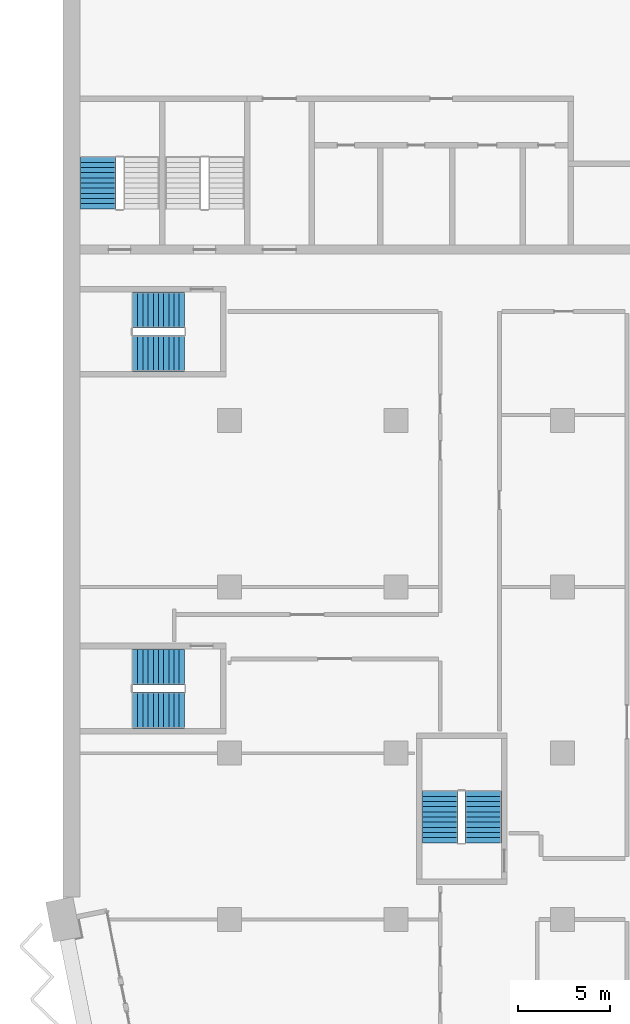
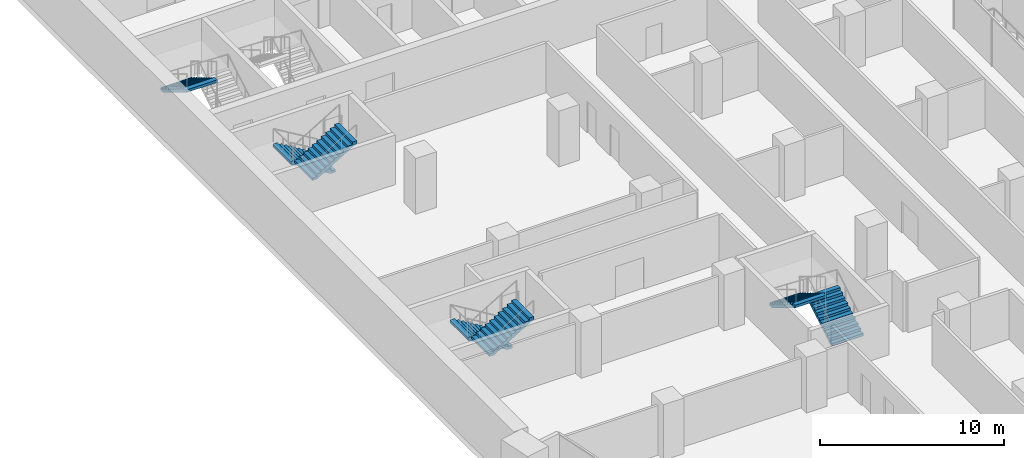
# One storey, part 16 of 23: 7 stair flights, 4 elements without a shape of their own.
"""IFC4 building model written with IfcOpenShell, lengths in metres."""

from ifc_helpers import new_model, si_unit, direction, frame, origin, place, context, subcontext, project, spatial, polyline, outline, extrude, material, type_object, element, aggregate, save


model = new_model("IFC4")

# Units and contexts
model_context = context("Model", 3, precision=1e-05, world=origin(), true_north=direction((0.0, 1.0)))
body_context = subcontext(model_context, "Body", "Model", "MODEL_VIEW")
ifc_project = project(units=[si_unit("LENGTHUNIT", "METRE"), si_unit("AREAUNIT", "SQUARE_METRE"), si_unit("VOLUMEUNIT", "CUBIC_METRE"), si_unit("PLANEANGLEUNIT", "RADIAN"), si_unit("MASSUNIT", "GRAM", prefix="KILO")], contexts=[model_context])

# Site, building, storey
site_placement = place(None, origin())
site = spatial("IfcSite", under=ifc_project, at=site_placement, CompositionType="ELEMENT")
building_placement = place(site_placement, origin())
building = spatial("IfcBuilding", under=site, at=building_placement, Name="Hunhe Ridgeline Campus", CompositionType="ELEMENT")
storey_placement = place(building_placement, frame((0.0, 0.0, 121.800048828125)))
storey = spatial("IfcBuildingStorey", under=building, at=storey_placement, Name="L30", CompositionType="ELEMENT", Elevation=121.800048828125)

# Stair, stair flight
ifc_material = material(Name="Concrete C40", Category="concrete")
stair_type = type_object("IfcStairType", Name="Reinforced concrete dog-leg stair 1950 Concrete C40", PredefinedType="HALF_TURN_STAIR", material=ifc_material)
stair_1_placement = place(storey_placement, origin())
stair_1 = element("IfcStair", 1, at=stair_1_placement, inside=storey, type_object=stair_type, Name="L30 S3", PredefinedType="HALF_TURN_STAIR")
stair_flight_type = type_object("IfcStairFlightType", Name="Reinforced concrete stair flight 1950 Concrete C40", PredefinedType="STRAIGHT", material=ifc_material)
stair_flight_1_placement = place(storey_placement, frame((1.875, 68.25, 1.849853515625), z_axis=(0.0, 0.0, 1.0), x_axis=(0.0, -1.0, 0.0)))
stair_flight_1 = element("IfcStairFlight", 2, at=stair_flight_1_placement, type_object=stair_flight_type, Name="ST3 flight 2", NumberOfRisers=11, NumberOfTreads=10, PredefinedType="STRAIGHT", RiserHeight=0.168181818, TreadLength=0.28, context=body_context, shape_type="SweptSolid", body=[
    extrude(outline(polyline([(0.0, 0.0), (0.0, 0.168212890625), (0.280029296875, 0.168212890625), (0.280029296875, 0.33642578125), (0.56005859375, 0.33642578125), (0.56005859375, 0.504638671875), (0.840087890625, 0.504638671875), (0.840087890625, 0.672607421875), (1.1201171875, 0.672607421875), (1.1201171875, 0.8408203125), (1.39990234375, 0.8408203125), (1.39990234375, 1.009033203125), (1.679931640625, 1.009033203125), (1.679931640625, 1.17724609375), (1.9599609375, 1.17724609375), (1.9599609375, 1.345458984375), (2.239990234375, 1.345458984375), (2.239990234375, 1.513671875), (2.52001953125, 1.513671875), (2.52001953125, 1.681884765625), (2.800048828125, 1.681884765625), (2.800048828125, 1.85009765625), (2.800048828125, 1.5068359375), (0.291015625, 0.0), (0.0, 0.0)])), frame((0.0, 0.97509765625, 0.0), z_axis=(0.0, -1.0, 0.0), x_axis=(1.0, 0.0, 0.0)), (0.0, 0.0, 1.0), 1.949951171875),
    extrude(outline(polyline([(0.030029296875, 0.030029296875), (0.030029296875, 0.13818359375), (0.31005859375, 0.13818359375), (0.31005859375, 0.306396484375), (0.590087890625, 0.306396484375), (0.590087890625, 0.474609375), (0.8701171875, 0.474609375), (0.8701171875, 0.642578125), (1.14990234375, 0.642578125), (1.14990234375, 0.810791015625), (1.429931640625, 0.810791015625), (1.429931640625, 0.97900390625), (1.7099609375, 0.97900390625), (1.7099609375, 1.147216796875), (1.989990234375, 1.147216796875), (1.989990234375, 1.3154296875), (2.27001953125, 1.3154296875), (2.27001953125, 1.483642578125), (2.550048828125, 1.483642578125), (2.550048828125, 1.65185546875), (2.77001953125, 1.65185546875), (2.77001953125, 1.52392578125), (0.28271484375, 0.030029296875), (0.030029296875, 0.030029296875)])), frame((0.0, -0.070068359375, 0.0), z_axis=(0.0, -1.0, 0.0), x_axis=(1.0, 0.0, 0.0)), (0.0, 0.0, 1.0), 0.019775390625),
    extrude(outline(polyline([(0.030029296875, 0.030029296875), (0.030029296875, 0.13818359375), (0.31005859375, 0.13818359375), (0.31005859375, 0.306396484375), (0.590087890625, 0.306396484375), (0.590087890625, 0.474609375), (0.8701171875, 0.474609375), (0.8701171875, 0.642578125), (1.14990234375, 0.642578125), (1.14990234375, 0.810791015625), (1.429931640625, 0.810791015625), (1.429931640625, 0.97900390625), (1.7099609375, 0.97900390625), (1.7099609375, 1.147216796875), (1.989990234375, 1.147216796875), (1.989990234375, 1.3154296875), (2.27001953125, 1.3154296875), (2.27001953125, 1.483642578125), (2.550048828125, 1.483642578125), (2.550048828125, 1.65185546875), (2.77001953125, 1.65185546875), (2.77001953125, 1.52392578125), (0.28271484375, 0.030029296875), (0.030029296875, 0.030029296875)])), frame((0.0, 0.010009765625, 0.0), z_axis=(0.0, -1.0, 0.0), x_axis=(1.0, 0.0, 0.0)), (0.0, 0.0, 1.0), 0.019775390625),
    extrude(outline(polyline([(0.030029296875, 0.030029296875), (0.030029296875, 0.13818359375), (0.31005859375, 0.13818359375), (0.31005859375, 0.306396484375), (0.590087890625, 0.306396484375), (0.590087890625, 0.474609375), (0.8701171875, 0.474609375), (0.8701171875, 0.642578125), (1.14990234375, 0.642578125), (1.14990234375, 0.810791015625), (1.429931640625, 0.810791015625), (1.429931640625, 0.97900390625), (1.7099609375, 0.97900390625), (1.7099609375, 1.147216796875), (1.989990234375, 1.147216796875), (1.989990234375, 1.3154296875), (2.27001953125, 1.3154296875), (2.27001953125, 1.483642578125), (2.550048828125, 1.483642578125), (2.550048828125, 1.65185546875), (2.77001953125, 1.65185546875), (2.77001953125, 1.52392578125), (0.28271484375, 0.030029296875), (0.030029296875, 0.030029296875)])), frame((0.0, 0.090087890625, 0.0), z_axis=(0.0, -1.0, 0.0), x_axis=(1.0, 0.0, 0.0)), (0.0, 0.0, 1.0), 0.019775390625),
])
aggregate(stair_1, [stair_flight_1])

# Stair, stair flights
stair_2_placement = place(storey_placement, origin())
stair_2 = element("IfcStair", 3, at=stair_2_placement, inside=storey, type_object=stair_type, Name="L30 W3", PredefinedType="HALF_TURN_STAIR")
stair_flight_2_placement = place(storey_placement, frame((22.72509765625, 31.14990234375, 0.0), z_axis=(0.0, 0.0, 1.0), x_axis=(0.0, 1.0, 0.0)))
stair_flight_2 = element("IfcStairFlight", 4, at=stair_flight_2_placement, type_object=stair_flight_type, Name="ST9 flight 1", NumberOfRisers=11, NumberOfTreads=10, PredefinedType="STRAIGHT", RiserHeight=0.168181818, TreadLength=0.28, context=body_context, shape_type="SweptSolid", body=[
    extrude(outline(polyline([(0.0, 0.0), (0.0, 0.168212890625), (0.280029296875, 0.168212890625), (0.280029296875, 0.33642578125), (0.56005859375, 0.33642578125), (0.56005859375, 0.504638671875), (0.840087890625, 0.504638671875), (0.840087890625, 0.672607421875), (1.1201171875, 0.672607421875), (1.1201171875, 0.8408203125), (1.39990234375, 0.8408203125), (1.39990234375, 1.009033203125), (1.679931640625, 1.009033203125), (1.679931640625, 1.17724609375), (1.9599609375, 1.17724609375), (1.9599609375, 1.345458984375), (2.239990234375, 1.345458984375), (2.239990234375, 1.513671875), (2.52001953125, 1.513671875), (2.52001953125, 1.681884765625), (2.800048828125, 1.681884765625), (2.800048828125, 1.85009765625), (2.800048828125, 1.5068359375), (0.291015625, 0.0), (0.0, 0.0)])), frame((0.0, 0.97509765625, 0.0), z_axis=(0.0, -1.0, 0.0), x_axis=(1.0, 0.0, 0.0)), (0.0, 0.0, 1.0), 1.949951171875),
    extrude(outline(polyline([(0.030029296875, 0.030029296875), (0.030029296875, 0.13818359375), (0.31005859375, 0.13818359375), (0.31005859375, 0.306396484375), (0.590087890625, 0.306396484375), (0.590087890625, 0.474609375), (0.8701171875, 0.474609375), (0.8701171875, 0.642578125), (1.14990234375, 0.642578125), (1.14990234375, 0.810791015625), (1.429931640625, 0.810791015625), (1.429931640625, 0.97900390625), (1.7099609375, 0.97900390625), (1.7099609375, 1.147216796875), (1.989990234375, 1.147216796875), (1.989990234375, 1.3154296875), (2.27001953125, 1.3154296875), (2.27001953125, 1.483642578125), (2.550048828125, 1.483642578125), (2.550048828125, 1.65185546875), (2.77001953125, 1.65185546875), (2.77001953125, 1.52392578125), (0.28271484375, 0.030029296875), (0.030029296875, 0.030029296875)])), frame((0.0, -0.070068359375, 0.0), z_axis=(0.0, -1.0, 0.0), x_axis=(1.0, 0.0, 0.0)), (0.0, 0.0, 1.0), 0.019775390625),
    extrude(outline(polyline([(0.030029296875, 0.030029296875), (0.030029296875, 0.13818359375), (0.31005859375, 0.13818359375), (0.31005859375, 0.306396484375), (0.590087890625, 0.306396484375), (0.590087890625, 0.474609375), (0.8701171875, 0.474609375), (0.8701171875, 0.642578125), (1.14990234375, 0.642578125), (1.14990234375, 0.810791015625), (1.429931640625, 0.810791015625), (1.429931640625, 0.97900390625), (1.7099609375, 0.97900390625), (1.7099609375, 1.147216796875), (1.989990234375, 1.147216796875), (1.989990234375, 1.3154296875), (2.27001953125, 1.3154296875), (2.27001953125, 1.483642578125), (2.550048828125, 1.483642578125), (2.550048828125, 1.65185546875), (2.77001953125, 1.65185546875), (2.77001953125, 1.52392578125), (0.28271484375, 0.030029296875), (0.030029296875, 0.030029296875)])), frame((0.0, 0.010009765625, 0.0), z_axis=(0.0, -1.0, 0.0), x_axis=(1.0, 0.0, 0.0)), (0.0, 0.0, 1.0), 0.019775390625),
    extrude(outline(polyline([(0.030029296875, 0.030029296875), (0.030029296875, 0.13818359375), (0.31005859375, 0.13818359375), (0.31005859375, 0.306396484375), (0.590087890625, 0.306396484375), (0.590087890625, 0.474609375), (0.8701171875, 0.474609375), (0.8701171875, 0.642578125), (1.14990234375, 0.642578125), (1.14990234375, 0.810791015625), (1.429931640625, 0.810791015625), (1.429931640625, 0.97900390625), (1.7099609375, 0.97900390625), (1.7099609375, 1.147216796875), (1.989990234375, 1.147216796875), (1.989990234375, 1.3154296875), (2.27001953125, 1.3154296875), (2.27001953125, 1.483642578125), (2.550048828125, 1.483642578125), (2.550048828125, 1.65185546875), (2.77001953125, 1.65185546875), (2.77001953125, 1.52392578125), (0.28271484375, 0.030029296875), (0.030029296875, 0.030029296875)])), frame((0.0, 0.090087890625, 0.0), z_axis=(0.0, -1.0, 0.0), x_axis=(1.0, 0.0, 0.0)), (0.0, 0.0, 1.0), 0.019775390625),
])
stair_flight_3_placement = place(storey_placement, frame((20.375, 33.949951171875, 1.849853515625), z_axis=(0.0, 0.0, 1.0), x_axis=(0.0, -1.0, 0.0)))
stair_flight_3 = element("IfcStairFlight", 5, at=stair_flight_3_placement, type_object=stair_flight_type, Name="ST9 flight 2", NumberOfRisers=11, NumberOfTreads=10, PredefinedType="STRAIGHT", RiserHeight=0.168181818, TreadLength=0.28, context=body_context, shape_type="SweptSolid", body=[
    extrude(outline(polyline([(0.0, 0.0), (0.0, 0.168212890625), (0.280029296875, 0.168212890625), (0.280029296875, 0.33642578125), (0.56005859375, 0.33642578125), (0.56005859375, 0.504638671875), (0.840087890625, 0.504638671875), (0.840087890625, 0.672607421875), (1.1201171875, 0.672607421875), (1.1201171875, 0.8408203125), (1.39990234375, 0.8408203125), (1.39990234375, 1.009033203125), (1.679931640625, 1.009033203125), (1.679931640625, 1.17724609375), (1.9599609375, 1.17724609375), (1.9599609375, 1.345458984375), (2.239990234375, 1.345458984375), (2.239990234375, 1.513671875), (2.52001953125, 1.513671875), (2.52001953125, 1.681884765625), (2.800048828125, 1.681884765625), (2.800048828125, 1.85009765625), (2.800048828125, 1.5068359375), (0.291015625, 0.0), (0.0, 0.0)])), frame((0.0, 0.97509765625, 0.0), z_axis=(0.0, -1.0, 0.0), x_axis=(1.0, 0.0, 0.0)), (0.0, 0.0, 1.0), 1.949951171875),
    extrude(outline(polyline([(0.030029296875, 0.030029296875), (0.030029296875, 0.13818359375), (0.31005859375, 0.13818359375), (0.31005859375, 0.306396484375), (0.590087890625, 0.306396484375), (0.590087890625, 0.474609375), (0.8701171875, 0.474609375), (0.8701171875, 0.642578125), (1.14990234375, 0.642578125), (1.14990234375, 0.810791015625), (1.429931640625, 0.810791015625), (1.429931640625, 0.97900390625), (1.7099609375, 0.97900390625), (1.7099609375, 1.147216796875), (1.989990234375, 1.147216796875), (1.989990234375, 1.3154296875), (2.27001953125, 1.3154296875), (2.27001953125, 1.483642578125), (2.550048828125, 1.483642578125), (2.550048828125, 1.65185546875), (2.77001953125, 1.65185546875), (2.77001953125, 1.52392578125), (0.28271484375, 0.030029296875), (0.030029296875, 0.030029296875)])), frame((0.0, -0.070068359375, 0.0), z_axis=(0.0, -1.0, 0.0), x_axis=(1.0, 0.0, 0.0)), (0.0, 0.0, 1.0), 0.019775390625),
    extrude(outline(polyline([(0.030029296875, 0.030029296875), (0.030029296875, 0.13818359375), (0.31005859375, 0.13818359375), (0.31005859375, 0.306396484375), (0.590087890625, 0.306396484375), (0.590087890625, 0.474609375), (0.8701171875, 0.474609375), (0.8701171875, 0.642578125), (1.14990234375, 0.642578125), (1.14990234375, 0.810791015625), (1.429931640625, 0.810791015625), (1.429931640625, 0.97900390625), (1.7099609375, 0.97900390625), (1.7099609375, 1.147216796875), (1.989990234375, 1.147216796875), (1.989990234375, 1.3154296875), (2.27001953125, 1.3154296875), (2.27001953125, 1.483642578125), (2.550048828125, 1.483642578125), (2.550048828125, 1.65185546875), (2.77001953125, 1.65185546875), (2.77001953125, 1.52392578125), (0.28271484375, 0.030029296875), (0.030029296875, 0.030029296875)])), frame((0.0, 0.010009765625, 0.0), z_axis=(0.0, -1.0, 0.0), x_axis=(1.0, 0.0, 0.0)), (0.0, 0.0, 1.0), 0.019775390625),
    extrude(outline(polyline([(0.030029296875, 0.030029296875), (0.030029296875, 0.13818359375), (0.31005859375, 0.13818359375), (0.31005859375, 0.306396484375), (0.590087890625, 0.306396484375), (0.590087890625, 0.474609375), (0.8701171875, 0.474609375), (0.8701171875, 0.642578125), (1.14990234375, 0.642578125), (1.14990234375, 0.810791015625), (1.429931640625, 0.810791015625), (1.429931640625, 0.97900390625), (1.7099609375, 0.97900390625), (1.7099609375, 1.147216796875), (1.989990234375, 1.147216796875), (1.989990234375, 1.3154296875), (2.27001953125, 1.3154296875), (2.27001953125, 1.483642578125), (2.550048828125, 1.483642578125), (2.550048828125, 1.65185546875), (2.77001953125, 1.65185546875), (2.77001953125, 1.52392578125), (0.28271484375, 0.030029296875), (0.030029296875, 0.030029296875)])), frame((0.0, 0.090087890625, 0.0), z_axis=(0.0, -1.0, 0.0), x_axis=(1.0, 0.0, 0.0)), (0.0, 0.0, 1.0), 0.019775390625),
])
aggregate(stair_2, [stair_flight_2, stair_flight_3])

stair_3_placement = place(storey_placement, origin())
stair_3 = element("IfcStair", 6, at=stair_3_placement, inside=storey, type_object=stair_type, Name="L30 W1", PredefinedType="HALF_TURN_STAIR")
stair_flight_4_placement = place(storey_placement, frame((6.550048828125, 40.675048828125, 0.0), z_axis=(0.0, 0.0, 1.0), x_axis=(-1.0, 0.0, 0.0)))
stair_flight_4 = element("IfcStairFlight", 7, at=stair_flight_4_placement, type_object=stair_flight_type, Name="ST11 flight 1", NumberOfRisers=11, NumberOfTreads=10, PredefinedType="STRAIGHT", RiserHeight=0.168181818, TreadLength=0.28, context=body_context, shape_type="SweptSolid", body=[
    extrude(outline(polyline([(0.0, 0.0), (0.0, 0.168212890625), (0.280029296875, 0.168212890625), (0.280029296875, 0.33642578125), (0.56005859375, 0.33642578125), (0.56005859375, 0.504638671875), (0.840087890625, 0.504638671875), (0.840087890625, 0.672607421875), (1.1201171875, 0.672607421875), (1.1201171875, 0.8408203125), (1.39990234375, 0.8408203125), (1.39990234375, 1.009033203125), (1.679931640625, 1.009033203125), (1.679931640625, 1.17724609375), (1.9599609375, 1.17724609375), (1.9599609375, 1.345458984375), (2.239990234375, 1.345458984375), (2.239990234375, 1.513671875), (2.52001953125, 1.513671875), (2.52001953125, 1.681884765625), (2.800048828125, 1.681884765625), (2.800048828125, 1.85009765625), (2.800048828125, 1.5068359375), (0.291015625, 0.0), (0.0, 0.0)])), frame((0.0, 0.97509765625, 0.0), z_axis=(0.0, -1.0, 0.0), x_axis=(1.0, 0.0, 0.0)), (0.0, 0.0, 1.0), 1.949951171875),
    extrude(outline(polyline([(0.030029296875, 0.030029296875), (0.030029296875, 0.13818359375), (0.31005859375, 0.13818359375), (0.31005859375, 0.306396484375), (0.590087890625, 0.306396484375), (0.590087890625, 0.474609375), (0.8701171875, 0.474609375), (0.8701171875, 0.642578125), (1.14990234375, 0.642578125), (1.14990234375, 0.810791015625), (1.429931640625, 0.810791015625), (1.429931640625, 0.97900390625), (1.7099609375, 0.97900390625), (1.7099609375, 1.147216796875), (1.989990234375, 1.147216796875), (1.989990234375, 1.3154296875), (2.27001953125, 1.3154296875), (2.27001953125, 1.483642578125), (2.550048828125, 1.483642578125), (2.550048828125, 1.65185546875), (2.77001953125, 1.65185546875), (2.77001953125, 1.52392578125), (0.28271484375, 0.030029296875), (0.030029296875, 0.030029296875)])), frame((0.0, -0.070068359375, 0.0), z_axis=(0.0, -1.0, 0.0), x_axis=(1.0, 0.0, 0.0)), (0.0, 0.0, 1.0), 0.019775390625),
    extrude(outline(polyline([(0.030029296875, 0.030029296875), (0.030029296875, 0.13818359375), (0.31005859375, 0.13818359375), (0.31005859375, 0.306396484375), (0.590087890625, 0.306396484375), (0.590087890625, 0.474609375), (0.8701171875, 0.474609375), (0.8701171875, 0.642578125), (1.14990234375, 0.642578125), (1.14990234375, 0.810791015625), (1.429931640625, 0.810791015625), (1.429931640625, 0.97900390625), (1.7099609375, 0.97900390625), (1.7099609375, 1.147216796875), (1.989990234375, 1.147216796875), (1.989990234375, 1.3154296875), (2.27001953125, 1.3154296875), (2.27001953125, 1.483642578125), (2.550048828125, 1.483642578125), (2.550048828125, 1.65185546875), (2.77001953125, 1.65185546875), (2.77001953125, 1.52392578125), (0.28271484375, 0.030029296875), (0.030029296875, 0.030029296875)])), frame((0.0, 0.010009765625, 0.0), z_axis=(0.0, -1.0, 0.0), x_axis=(1.0, 0.0, 0.0)), (0.0, 0.0, 1.0), 0.019775390625),
    extrude(outline(polyline([(0.030029296875, 0.030029296875), (0.030029296875, 0.13818359375), (0.31005859375, 0.13818359375), (0.31005859375, 0.306396484375), (0.590087890625, 0.306396484375), (0.590087890625, 0.474609375), (0.8701171875, 0.474609375), (0.8701171875, 0.642578125), (1.14990234375, 0.642578125), (1.14990234375, 0.810791015625), (1.429931640625, 0.810791015625), (1.429931640625, 0.97900390625), (1.7099609375, 0.97900390625), (1.7099609375, 1.147216796875), (1.989990234375, 1.147216796875), (1.989990234375, 1.3154296875), (2.27001953125, 1.3154296875), (2.27001953125, 1.483642578125), (2.550048828125, 1.483642578125), (2.550048828125, 1.65185546875), (2.77001953125, 1.65185546875), (2.77001953125, 1.52392578125), (0.28271484375, 0.030029296875), (0.030029296875, 0.030029296875)])), frame((0.0, 0.090087890625, 0.0), z_axis=(0.0, -1.0, 0.0), x_axis=(1.0, 0.0, 0.0)), (0.0, 0.0, 1.0), 0.019775390625),
])
stair_flight_5_placement = place(storey_placement, frame((3.75, 38.324951171875, 1.849853515625), z_axis=(0.0, 0.0, 1.0), x_axis=(1.0, 0.0, 0.0)))
stair_flight_5 = element("IfcStairFlight", 8, at=stair_flight_5_placement, type_object=stair_flight_type, Name="ST11 flight 2", NumberOfRisers=11, NumberOfTreads=10, PredefinedType="STRAIGHT", RiserHeight=0.168181818, TreadLength=0.28, context=body_context, shape_type="SweptSolid", body=[
    extrude(outline(polyline([(0.0, 0.0), (0.0, 0.168212890625), (0.280029296875, 0.168212890625), (0.280029296875, 0.33642578125), (0.56005859375, 0.33642578125), (0.56005859375, 0.504638671875), (0.840087890625, 0.504638671875), (0.840087890625, 0.672607421875), (1.1201171875, 0.672607421875), (1.1201171875, 0.8408203125), (1.39990234375, 0.8408203125), (1.39990234375, 1.009033203125), (1.679931640625, 1.009033203125), (1.679931640625, 1.17724609375), (1.9599609375, 1.17724609375), (1.9599609375, 1.345458984375), (2.239990234375, 1.345458984375), (2.239990234375, 1.513671875), (2.52001953125, 1.513671875), (2.52001953125, 1.681884765625), (2.800048828125, 1.681884765625), (2.800048828125, 1.85009765625), (2.800048828125, 1.5068359375), (0.291015625, 0.0), (0.0, 0.0)])), frame((0.0, 0.97509765625, 0.0), z_axis=(0.0, -1.0, 0.0), x_axis=(1.0, 0.0, 0.0)), (0.0, 0.0, 1.0), 1.949951171875),
    extrude(outline(polyline([(0.030029296875, 0.030029296875), (0.030029296875, 0.13818359375), (0.31005859375, 0.13818359375), (0.31005859375, 0.306396484375), (0.590087890625, 0.306396484375), (0.590087890625, 0.474609375), (0.8701171875, 0.474609375), (0.8701171875, 0.642578125), (1.14990234375, 0.642578125), (1.14990234375, 0.810791015625), (1.429931640625, 0.810791015625), (1.429931640625, 0.97900390625), (1.7099609375, 0.97900390625), (1.7099609375, 1.147216796875), (1.989990234375, 1.147216796875), (1.989990234375, 1.3154296875), (2.27001953125, 1.3154296875), (2.27001953125, 1.483642578125), (2.550048828125, 1.483642578125), (2.550048828125, 1.65185546875), (2.77001953125, 1.65185546875), (2.77001953125, 1.52392578125), (0.28271484375, 0.030029296875), (0.030029296875, 0.030029296875)])), frame((0.0, -0.070068359375, 0.0), z_axis=(0.0, -1.0, 0.0), x_axis=(1.0, 0.0, 0.0)), (0.0, 0.0, 1.0), 0.019775390625),
    extrude(outline(polyline([(0.030029296875, 0.030029296875), (0.030029296875, 0.13818359375), (0.31005859375, 0.13818359375), (0.31005859375, 0.306396484375), (0.590087890625, 0.306396484375), (0.590087890625, 0.474609375), (0.8701171875, 0.474609375), (0.8701171875, 0.642578125), (1.14990234375, 0.642578125), (1.14990234375, 0.810791015625), (1.429931640625, 0.810791015625), (1.429931640625, 0.97900390625), (1.7099609375, 0.97900390625), (1.7099609375, 1.147216796875), (1.989990234375, 1.147216796875), (1.989990234375, 1.3154296875), (2.27001953125, 1.3154296875), (2.27001953125, 1.483642578125), (2.550048828125, 1.483642578125), (2.550048828125, 1.65185546875), (2.77001953125, 1.65185546875), (2.77001953125, 1.52392578125), (0.28271484375, 0.030029296875), (0.030029296875, 0.030029296875)])), frame((0.0, 0.010009765625, 0.0), z_axis=(0.0, -1.0, 0.0), x_axis=(1.0, 0.0, 0.0)), (0.0, 0.0, 1.0), 0.019775390625),
    extrude(outline(polyline([(0.030029296875, 0.030029296875), (0.030029296875, 0.13818359375), (0.31005859375, 0.13818359375), (0.31005859375, 0.306396484375), (0.590087890625, 0.306396484375), (0.590087890625, 0.474609375), (0.8701171875, 0.474609375), (0.8701171875, 0.642578125), (1.14990234375, 0.642578125), (1.14990234375, 0.810791015625), (1.429931640625, 0.810791015625), (1.429931640625, 0.97900390625), (1.7099609375, 0.97900390625), (1.7099609375, 1.147216796875), (1.989990234375, 1.147216796875), (1.989990234375, 1.3154296875), (2.27001953125, 1.3154296875), (2.27001953125, 1.483642578125), (2.550048828125, 1.483642578125), (2.550048828125, 1.65185546875), (2.77001953125, 1.65185546875), (2.77001953125, 1.52392578125), (0.28271484375, 0.030029296875), (0.030029296875, 0.030029296875)])), frame((0.0, 0.090087890625, 0.0), z_axis=(0.0, -1.0, 0.0), x_axis=(1.0, 0.0, 0.0)), (0.0, 0.0, 1.0), 0.019775390625),
])
aggregate(stair_3, [stair_flight_4, stair_flight_5])

stair_4_placement = place(storey_placement, origin())
stair_4 = element("IfcStair", 9, at=stair_4_placement, inside=storey, type_object=stair_type, Name="L30 W2", PredefinedType="HALF_TURN_STAIR")
stair_flight_6_placement = place(storey_placement, frame((6.550048828125, 59.97509765625, 0.0), z_axis=(0.0, 0.0, 1.0), x_axis=(-1.0, 0.0, 0.0)))
stair_flight_6 = element("IfcStairFlight", 10, at=stair_flight_6_placement, type_object=stair_flight_type, Name="ST12 flight 1", NumberOfRisers=11, NumberOfTreads=10, PredefinedType="STRAIGHT", RiserHeight=0.168181818, TreadLength=0.28, context=body_context, shape_type="SweptSolid", body=[
    extrude(outline(polyline([(0.0, 0.0), (0.0, 0.168212890625), (0.280029296875, 0.168212890625), (0.280029296875, 0.33642578125), (0.56005859375, 0.33642578125), (0.56005859375, 0.504638671875), (0.840087890625, 0.504638671875), (0.840087890625, 0.672607421875), (1.1201171875, 0.672607421875), (1.1201171875, 0.8408203125), (1.39990234375, 0.8408203125), (1.39990234375, 1.009033203125), (1.679931640625, 1.009033203125), (1.679931640625, 1.17724609375), (1.9599609375, 1.17724609375), (1.9599609375, 1.345458984375), (2.239990234375, 1.345458984375), (2.239990234375, 1.513671875), (2.52001953125, 1.513671875), (2.52001953125, 1.681884765625), (2.800048828125, 1.681884765625), (2.800048828125, 1.85009765625), (2.800048828125, 1.5068359375), (0.291015625, 0.0), (0.0, 0.0)])), frame((0.0, 0.97509765625, 0.0), z_axis=(0.0, -1.0, 0.0), x_axis=(1.0, 0.0, 0.0)), (0.0, 0.0, 1.0), 1.949951171875),
    extrude(outline(polyline([(0.030029296875, 0.030029296875), (0.030029296875, 0.13818359375), (0.31005859375, 0.13818359375), (0.31005859375, 0.306396484375), (0.590087890625, 0.306396484375), (0.590087890625, 0.474609375), (0.8701171875, 0.474609375), (0.8701171875, 0.642578125), (1.14990234375, 0.642578125), (1.14990234375, 0.810791015625), (1.429931640625, 0.810791015625), (1.429931640625, 0.97900390625), (1.7099609375, 0.97900390625), (1.7099609375, 1.147216796875), (1.989990234375, 1.147216796875), (1.989990234375, 1.3154296875), (2.27001953125, 1.3154296875), (2.27001953125, 1.483642578125), (2.550048828125, 1.483642578125), (2.550048828125, 1.65185546875), (2.77001953125, 1.65185546875), (2.77001953125, 1.52392578125), (0.28271484375, 0.030029296875), (0.030029296875, 0.030029296875)])), frame((0.0, -0.070068359375, 0.0), z_axis=(0.0, -1.0, 0.0), x_axis=(1.0, 0.0, 0.0)), (0.0, 0.0, 1.0), 0.019775390625),
    extrude(outline(polyline([(0.030029296875, 0.030029296875), (0.030029296875, 0.13818359375), (0.31005859375, 0.13818359375), (0.31005859375, 0.306396484375), (0.590087890625, 0.306396484375), (0.590087890625, 0.474609375), (0.8701171875, 0.474609375), (0.8701171875, 0.642578125), (1.14990234375, 0.642578125), (1.14990234375, 0.810791015625), (1.429931640625, 0.810791015625), (1.429931640625, 0.97900390625), (1.7099609375, 0.97900390625), (1.7099609375, 1.147216796875), (1.989990234375, 1.147216796875), (1.989990234375, 1.3154296875), (2.27001953125, 1.3154296875), (2.27001953125, 1.483642578125), (2.550048828125, 1.483642578125), (2.550048828125, 1.65185546875), (2.77001953125, 1.65185546875), (2.77001953125, 1.52392578125), (0.28271484375, 0.030029296875), (0.030029296875, 0.030029296875)])), frame((0.0, 0.010009765625, 0.0), z_axis=(0.0, -1.0, 0.0), x_axis=(1.0, 0.0, 0.0)), (0.0, 0.0, 1.0), 0.019775390625),
    extrude(outline(polyline([(0.030029296875, 0.030029296875), (0.030029296875, 0.13818359375), (0.31005859375, 0.13818359375), (0.31005859375, 0.306396484375), (0.590087890625, 0.306396484375), (0.590087890625, 0.474609375), (0.8701171875, 0.474609375), (0.8701171875, 0.642578125), (1.14990234375, 0.642578125), (1.14990234375, 0.810791015625), (1.429931640625, 0.810791015625), (1.429931640625, 0.97900390625), (1.7099609375, 0.97900390625), (1.7099609375, 1.147216796875), (1.989990234375, 1.147216796875), (1.989990234375, 1.3154296875), (2.27001953125, 1.3154296875), (2.27001953125, 1.483642578125), (2.550048828125, 1.483642578125), (2.550048828125, 1.65185546875), (2.77001953125, 1.65185546875), (2.77001953125, 1.52392578125), (0.28271484375, 0.030029296875), (0.030029296875, 0.030029296875)])), frame((0.0, 0.090087890625, 0.0), z_axis=(0.0, -1.0, 0.0), x_axis=(1.0, 0.0, 0.0)), (0.0, 0.0, 1.0), 0.019775390625),
])
stair_flight_7_placement = place(storey_placement, frame((3.75, 57.625, 1.849853515625), z_axis=(0.0, 0.0, 1.0), x_axis=(1.0, 0.0, 0.0)))
stair_flight_7 = element("IfcStairFlight", 11, at=stair_flight_7_placement, type_object=stair_flight_type, Name="ST12 flight 2", NumberOfRisers=11, NumberOfTreads=10, PredefinedType="STRAIGHT", RiserHeight=0.168181818, TreadLength=0.28, context=body_context, shape_type="SweptSolid", body=[
    extrude(outline(polyline([(0.0, 0.0), (0.0, 0.168212890625), (0.280029296875, 0.168212890625), (0.280029296875, 0.33642578125), (0.56005859375, 0.33642578125), (0.56005859375, 0.504638671875), (0.840087890625, 0.504638671875), (0.840087890625, 0.672607421875), (1.1201171875, 0.672607421875), (1.1201171875, 0.8408203125), (1.39990234375, 0.8408203125), (1.39990234375, 1.009033203125), (1.679931640625, 1.009033203125), (1.679931640625, 1.17724609375), (1.9599609375, 1.17724609375), (1.9599609375, 1.345458984375), (2.239990234375, 1.345458984375), (2.239990234375, 1.513671875), (2.52001953125, 1.513671875), (2.52001953125, 1.681884765625), (2.800048828125, 1.681884765625), (2.800048828125, 1.85009765625), (2.800048828125, 1.5068359375), (0.291015625, 0.0), (0.0, 0.0)])), frame((0.0, 0.97509765625, 0.0), z_axis=(0.0, -1.0, 0.0), x_axis=(1.0, 0.0, 0.0)), (0.0, 0.0, 1.0), 1.949951171875),
    extrude(outline(polyline([(0.030029296875, 0.030029296875), (0.030029296875, 0.13818359375), (0.31005859375, 0.13818359375), (0.31005859375, 0.306396484375), (0.590087890625, 0.306396484375), (0.590087890625, 0.474609375), (0.8701171875, 0.474609375), (0.8701171875, 0.642578125), (1.14990234375, 0.642578125), (1.14990234375, 0.810791015625), (1.429931640625, 0.810791015625), (1.429931640625, 0.97900390625), (1.7099609375, 0.97900390625), (1.7099609375, 1.147216796875), (1.989990234375, 1.147216796875), (1.989990234375, 1.3154296875), (2.27001953125, 1.3154296875), (2.27001953125, 1.483642578125), (2.550048828125, 1.483642578125), (2.550048828125, 1.65185546875), (2.77001953125, 1.65185546875), (2.77001953125, 1.52392578125), (0.28271484375, 0.030029296875), (0.030029296875, 0.030029296875)])), frame((0.0, -0.070068359375, 0.0), z_axis=(0.0, -1.0, 0.0), x_axis=(1.0, 0.0, 0.0)), (0.0, 0.0, 1.0), 0.019775390625),
    extrude(outline(polyline([(0.030029296875, 0.030029296875), (0.030029296875, 0.13818359375), (0.31005859375, 0.13818359375), (0.31005859375, 0.306396484375), (0.590087890625, 0.306396484375), (0.590087890625, 0.474609375), (0.8701171875, 0.474609375), (0.8701171875, 0.642578125), (1.14990234375, 0.642578125), (1.14990234375, 0.810791015625), (1.429931640625, 0.810791015625), (1.429931640625, 0.97900390625), (1.7099609375, 0.97900390625), (1.7099609375, 1.147216796875), (1.989990234375, 1.147216796875), (1.989990234375, 1.3154296875), (2.27001953125, 1.3154296875), (2.27001953125, 1.483642578125), (2.550048828125, 1.483642578125), (2.550048828125, 1.65185546875), (2.77001953125, 1.65185546875), (2.77001953125, 1.52392578125), (0.28271484375, 0.030029296875), (0.030029296875, 0.030029296875)])), frame((0.0, 0.010009765625, 0.0), z_axis=(0.0, -1.0, 0.0), x_axis=(1.0, 0.0, 0.0)), (0.0, 0.0, 1.0), 0.019775390625),
    extrude(outline(polyline([(0.030029296875, 0.030029296875), (0.030029296875, 0.13818359375), (0.31005859375, 0.13818359375), (0.31005859375, 0.306396484375), (0.590087890625, 0.306396484375), (0.590087890625, 0.474609375), (0.8701171875, 0.474609375), (0.8701171875, 0.642578125), (1.14990234375, 0.642578125), (1.14990234375, 0.810791015625), (1.429931640625, 0.810791015625), (1.429931640625, 0.97900390625), (1.7099609375, 0.97900390625), (1.7099609375, 1.147216796875), (1.989990234375, 1.147216796875), (1.989990234375, 1.3154296875), (2.27001953125, 1.3154296875), (2.27001953125, 1.483642578125), (2.550048828125, 1.483642578125), (2.550048828125, 1.65185546875), (2.77001953125, 1.65185546875), (2.77001953125, 1.52392578125), (0.28271484375, 0.030029296875), (0.030029296875, 0.030029296875)])), frame((0.0, 0.090087890625, 0.0), z_axis=(0.0, -1.0, 0.0), x_axis=(1.0, 0.0, 0.0)), (0.0, 0.0, 1.0), 0.019775390625),
])
aggregate(stair_4, [stair_flight_6, stair_flight_7])

save(model, "model.ifc")
